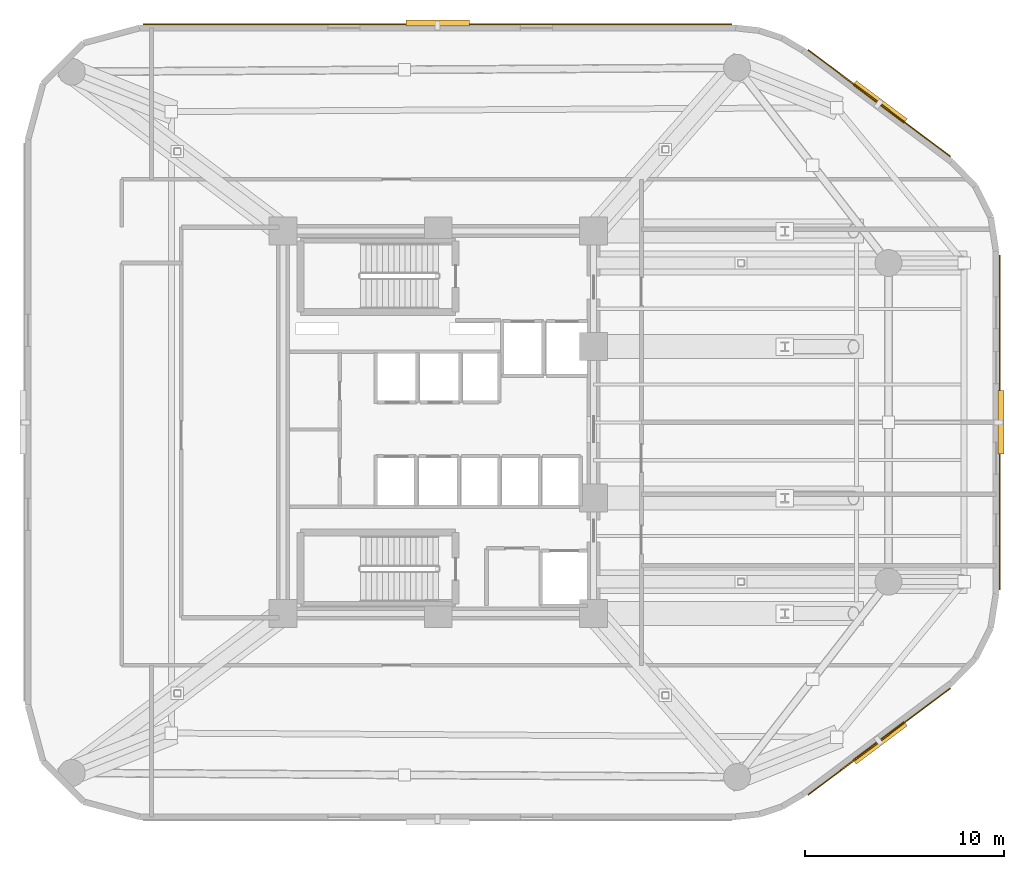
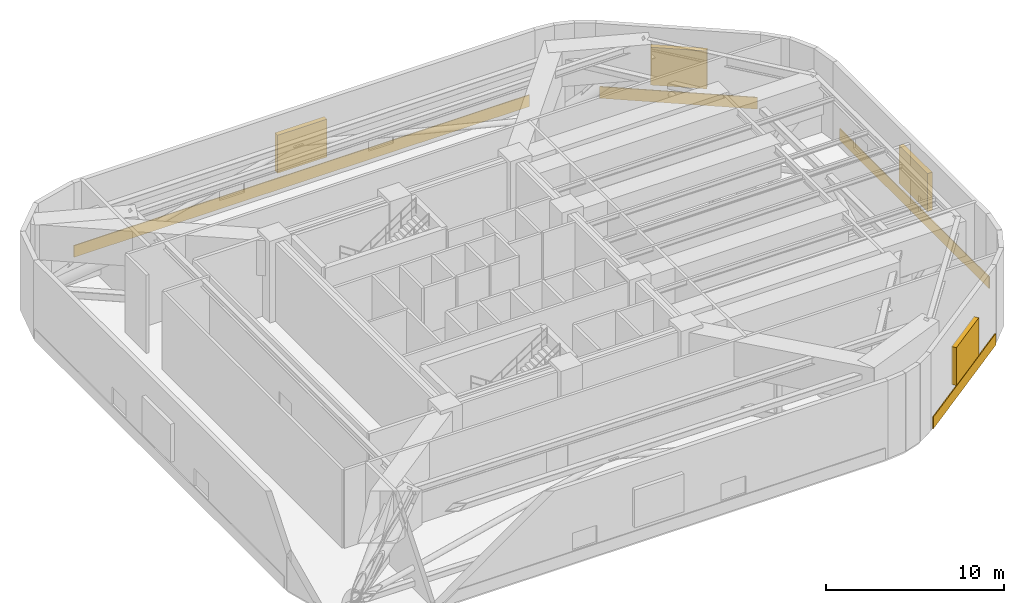
# One storey, part 10 of 10: 4 coverings, 4 shading devices.
"""IFC4 building model written with IfcOpenShell, lengths in metres."""

from ifc_helpers import new_model, si_unit, direction, frame, origin, origin_2d, place, context, subcontext, project, spatial, rectangle, extrude, material, layer, layer_set, type_object, element, save


model = new_model("IFC4")

# Units and contexts
model_context = context("Model", 3, precision=1e-05, world=origin(), true_north=direction((0.0, 1.0)))
body_context = subcontext(model_context, "Body", "Model", "MODEL_VIEW")
ifc_project = project(units=[si_unit("LENGTHUNIT", "METRE"), si_unit("AREAUNIT", "SQUARE_METRE"), si_unit("VOLUMEUNIT", "CUBIC_METRE"), si_unit("PLANEANGLEUNIT", "RADIAN"), si_unit("MASSUNIT", "GRAM", prefix="KILO")], contexts=[model_context])

# Site, building, storey
site_placement = place(None, origin())
site = spatial("IfcSite", under=ifc_project, at=site_placement, CompositionType="ELEMENT")
building_placement = place(site_placement, origin())
building = spatial("IfcBuilding", under=site, at=building_placement, Name="An Khanh Terracotta Commons", CompositionType="ELEMENT")
storey_placement = place(building_placement, frame((0.0, 0.0, 133.10009765625)))
storey = spatial("IfcBuildingStorey", under=building, at=storey_placement, Name="L35", CompositionType="ELEMENT", Elevation=133.10009765625)

# Shading devices
ifc_material_1 = material(Name="Anodised Aluminium 6063-T6", Category="aluminium")
shading_device_type = type_object("IfcShadingDeviceType", Name="Acoustic Plant Weather Louvre", PredefinedType="USERDEFINED", material=ifc_material_1)
for number, where, z_axis, x_axis, name in (
    (1, (51.575927734375, 7.919921875, 1.199951171875), (0.0, 0.0, 1.0), (0.800012856594, 0.599982857492, 0.0), "L35 Refuge Acoustic Louvre 8"),
    (2, (57.64990234375, 24.0, 1.199951171875), (0.0, 0.0, 1.0), (0.0, 1.0, 0.0), "L35 Refuge Acoustic Louvre 12"),
    (3, (51.575927734375, 40.080078125, 1.199951171875), (0.0, 0.0, 1.0), (-0.800012856594, 0.599982857492, 0.0), "L35 Refuge Acoustic Louvre 16"),
    (4, (29.365966796875, 44.050048828125, 1.199951171875), (0.0, 0.0, 1.0), (-1.0, 0.0, 0.0), "L35 Refuge Acoustic Louvre 20"),
):
    element("IfcShadingDevice", number, at=place(storey_placement, frame(where, z_axis=z_axis, x_axis=x_axis)), inside=storey, type_object=shading_device_type, Name=name, ObjectType="LOUVRE", PredefinedType="USERDEFINED", context=body_context, shape_type="SweptSolid", body=[
        extrude(rectangle(XDim=3.199951171875, YDim=0.300048828125, at=origin_2d()), origin(), (0.0, 0.0, 1.0), 2.60009765625),
    ])

# Coverings
ifc_material_2 = material(Name="Fired Terracotta Rainscreen Cladding", Category="masonry")
ifc_layer = layer(ifc_material_2, 0.06005859375, Name="Fired Terracotta Rainscreen Cladding")
ifc_layer_set = layer_set([ifc_layer], Name="Fired Terracotta Rainscreen Cladding")
covering_type = type_object("IfcCoveringType", Name="COV-SPANDREL-TERRA", PredefinedType="CLADDING", material=ifc_layer_set)
covering_1_placement = place(storey_placement, frame((51.533935546875, 7.97607421875, 0.02001953125), z_axis=(0.0, 0.0, 1.0), x_axis=(0.800012856594, 0.599982857492, 0.0)))
element("IfcCovering", 5, at=covering_1_placement, inside=storey, type_object=covering_type, Name="L35 Terracotta Spandrel Cladding 8", PredefinedType="CLADDING", context=body_context, shape_type="SweptSolid", body=[
    extrude(rectangle(XDim=8.93408203125, YDim=0.06005859375, at=origin_2d()), origin(), (0.0, 0.0, 1.0), 0.800048828125),
])
covering_2_placement = place(storey_placement, frame((57.580078125, 24.0, 0.02001953125), z_axis=(0.0, 0.0, 1.0), x_axis=(0.0, 1.0, 0.0)))
element("IfcCovering", 6, at=covering_2_placement, inside=storey, type_object=covering_type, Name="L35 Terracotta Spandrel Cladding 12", PredefinedType="CLADDING", context=body_context, shape_type="SweptSolid", body=[
    extrude(rectangle(XDim=16.800048828125, YDim=0.06005859375, at=origin_2d()), origin(), (0.0, 0.0, 1.0), 0.800048828125),
])
covering_3_placement = place(storey_placement, frame((51.533935546875, 40.02392578125, 0.02001953125), z_axis=(0.0, 0.0, 1.0), x_axis=(-0.800012856594, 0.599982857492, 0.0)))
element("IfcCovering", 7, at=covering_3_placement, inside=storey, type_object=covering_type, Name="L35 Terracotta Spandrel Cladding 16", PredefinedType="CLADDING", context=body_context, shape_type="SweptSolid", body=[
    extrude(rectangle(XDim=8.93408203125, YDim=0.06005859375, at=origin_2d()), origin(), (0.0, 0.0, 1.0), 0.800048828125),
])
covering_4_placement = place(storey_placement, frame((29.365966796875, 43.97998046875, 0.02001953125), z_axis=(0.0, 0.0, 1.0), x_axis=(-1.0, 0.0, 0.0)))
element("IfcCovering", 8, at=covering_4_placement, inside=storey, type_object=covering_type, Name="L35 Terracotta Spandrel Cladding 20", PredefinedType="CLADDING", context=body_context, shape_type="SweptSolid", body=[
    extrude(rectangle(XDim=29.532958984375, YDim=0.06005859375, at=origin_2d()), origin(), (0.0, 0.0, 1.0), 0.800048828125),
])

save(model, "model.ifc")
